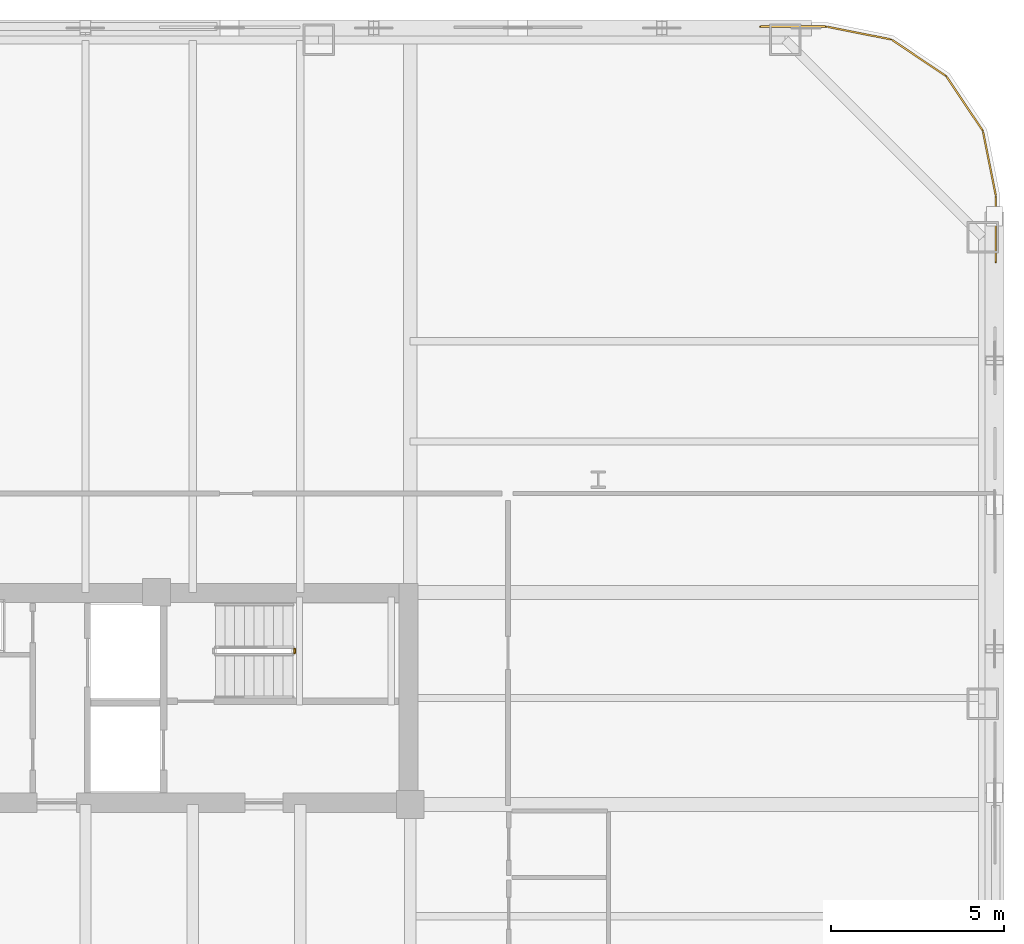
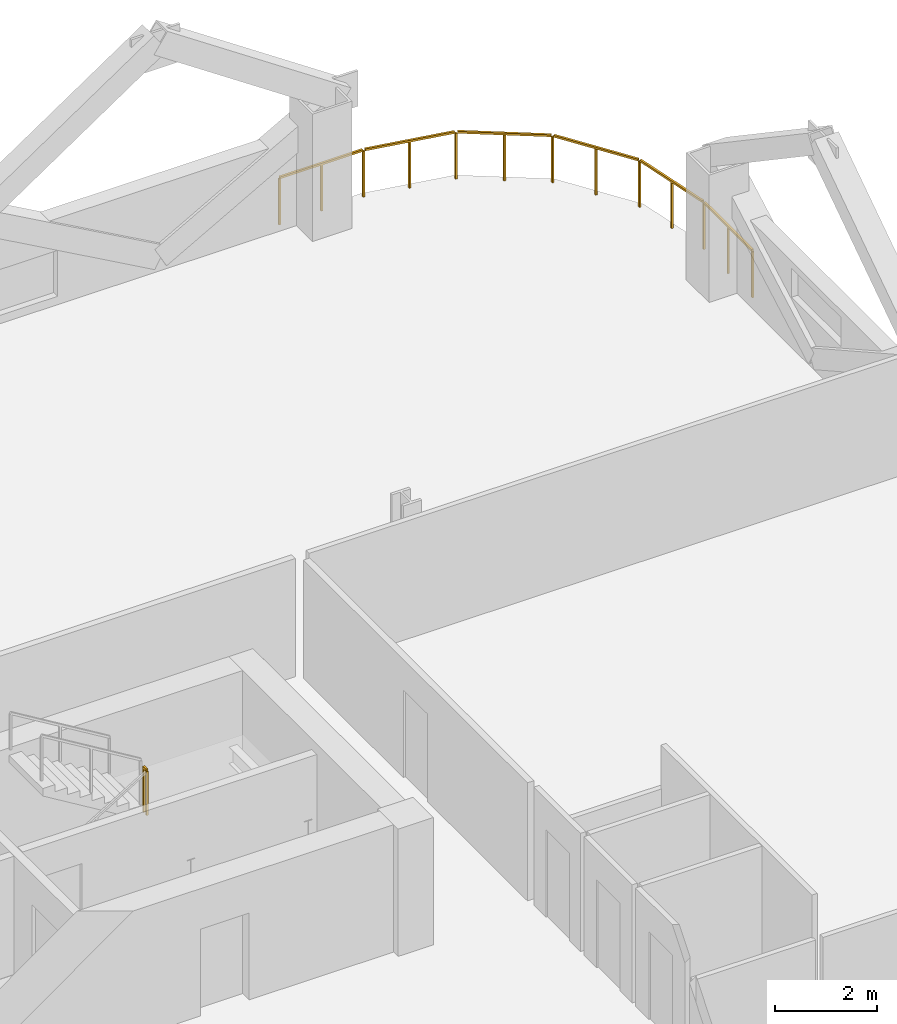
# One storey, part 13 of 13: 2 railings.
"""IFC4 building model written with IfcOpenShell, lengths in metres."""

from ifc_helpers import new_model, si_unit, direction, frame, origin, origin_2d, place, context, subcontext, project, spatial, rectangle, extrude, material, type_object, element, save


model = new_model("IFC4")

# Units and contexts
model_context = context("Model", 3, precision=1e-05, world=origin(), true_north=direction((0.0, 1.0)))
body_context = subcontext(model_context, "Body", "Model", "MODEL_VIEW")
ifc_project = project(units=[si_unit("LENGTHUNIT", "METRE"), si_unit("AREAUNIT", "SQUARE_METRE"), si_unit("VOLUMEUNIT", "CUBIC_METRE"), si_unit("PLANEANGLEUNIT", "RADIAN"), si_unit("MASSUNIT", "GRAM", prefix="KILO")], contexts=[model_context])

# Site, building, storey
site_placement = place(None, origin())
site = spatial("IfcSite", under=ifc_project, at=site_placement, CompositionType="ELEMENT")
building_placement = place(site_placement, origin())
building = spatial("IfcBuilding", under=site, at=building_placement, Name="Qhalaya Broadcast Tower", CompositionType="ELEMENT")
storey_placement = place(building_placement, frame((0.0, 0.0, 32.199951171875)))
storey = spatial("IfcBuildingStorey", under=building, at=storey_placement, Name="L08", CompositionType="ELEMENT", Elevation=32.199951171875)

# Railings
ifc_material = material(Name="Powder-Coated Galvanised Steel", Category="steel")
railing_type_1 = type_object("IfcRailingType", Name="Stair Well & Landing Guardrail 1100", PredefinedType="GUARDRAIL", material=ifc_material)
railing_1_placement = place(storey_placement, frame((6.0400390625, 8.199951171875, 1.525146484375)))
element("IfcRailing", 1, at=railing_1_placement, inside=storey, type_object=railing_type_1, Name="L08 ST-1 Stair Guard 2", PredefinedType="GUARDRAIL", context=body_context, shape_type="SweptSolid", body=[
    extrude(rectangle(XDim=0.048095703125, YDim=0.048095703125, at=origin_2d()), frame((0.0, 0.0, 1.076171875), z_axis=(0.0, 1.0, 0.0), x_axis=(-1.0, 0.0, 0.0)), (0.0, 0.0, 1.0), 0.1201171875),
    extrude(rectangle(XDim=0.0419921875, YDim=0.0419921875, at=origin_2d()), origin(), (0.0, 0.0, 1.0), 1.050048828125),
    extrude(rectangle(XDim=0.0419921875, YDim=0.0419921875, at=origin_2d()), frame((0.0, 0.1201171875, 0.0)), (0.0, 0.0, 1.0), 1.050048828125),
])
railing_type_2 = type_object("IfcRailingType", Name="Terrace, Sky-Pool & Lookout Glass Balustrade 1150", PredefinedType="BALUSTRADE", material=ifc_material)
railing_2_placement = place(storey_placement, frame((19.48193359375, 26.280029296875, 0.0)))
element("IfcRailing", 2, at=railing_2_placement, inside=storey, type_object=railing_type_2, Name="L08 Rounded Corner Perimeter Guard 04", PredefinedType="BALUSTRADE", context=body_context, shape_type="SweptSolid", body=[
    extrude(rectangle(XDim=0.048095703125, YDim=0.048095703125, at=origin_2d()), frame((0.0, 0.0, 1.1259765625), z_axis=(1.0, 0.0, 0.0), x_axis=(0.0, 1.0, 0.0)), (0.0, 0.0, 1.0), 1.87744140625),
    extrude(rectangle(XDim=0.048095703125, YDim=0.048095703125, at=origin_2d()), frame((1.9345703125, -0.005615234375, 1.1259765625), z_axis=(0.980795810058, -0.195037378397, 0.0), x_axis=(0.195037378397, 0.980795810058, 0.0)), (0.0, 0.0, 1.0), 1.857421875),
    extrude(rectangle(XDim=0.048095703125, YDim=0.048095703125, at=origin_2d()), frame((3.80859375, -0.3896484375, 1.1259765625), z_axis=(0.831477548332, -0.555558355728, 0.0), x_axis=(0.555558355728, 0.831477548332, 0.0)), (0.0, 0.0, 1.0), 1.845458984375),
    extrude(rectangle(XDim=0.048095703125, YDim=0.048095703125, at=origin_2d()), frame((5.38330078125, -1.454833984375, 1.1259765625), z_axis=(0.555558355728, -0.831477548332, 0.0), x_axis=(0.831477548332, 0.555558355728, 0.0)), (0.0, 0.0, 1.0), 1.845458984375),
    extrude(rectangle(XDim=0.048095703125, YDim=0.048095703125, at=origin_2d()), frame((6.43017578125, -3.041748046875, 1.1259765625), z_axis=(0.195037378397, -0.980795810058, 0.0), x_axis=(0.980795810058, 0.195037378397, 0.0)), (0.0, 0.0, 1.0), 1.857421875),
    extrude(rectangle(XDim=0.048095703125, YDim=0.048095703125, at=origin_2d()), frame((6.798095703125, -4.920654296875, 1.1259765625), z_axis=(0.0, -1.0, 0.0), x_axis=(1.0, 0.0, 0.0)), (0.0, 0.0, 1.0), 1.87744140625),
    extrude(rectangle(XDim=0.0419921875, YDim=0.0419921875, at=origin_2d()), origin(), (0.0, 0.0, 1.0), 1.099853515625),
    extrude(rectangle(XDim=0.0419921875, YDim=0.0419921875, at=origin_2d()), frame((0.953125, 0.0, 0.0)), (0.0, 0.0, 1.0), 1.099853515625),
    extrude(rectangle(XDim=0.0419921875, YDim=0.0419921875, at=origin_2d()), frame((1.90625, 0.0, 0.0)), (0.0, 0.0, 1.0), 1.099853515625),
    extrude(rectangle(XDim=0.0419921875, YDim=0.0419921875, at=origin_2d()), frame((2.845458984375, -0.186767578125, 0.0)), (0.0, 0.0, 1.0), 1.099853515625),
    extrude(rectangle(XDim=0.0419921875, YDim=0.0419921875, at=origin_2d()), frame((3.78466796875, -0.37353515625, 0.0)), (0.0, 0.0, 1.0), 1.099853515625),
    extrude(rectangle(XDim=0.0419921875, YDim=0.0419921875, at=origin_2d()), frame((4.575927734375, -0.90234375, 0.0)), (0.0, 0.0, 1.0), 1.099853515625),
    extrude(rectangle(XDim=0.0419921875, YDim=0.0419921875, at=origin_2d()), frame((5.3671875, -1.430908203125, 0.0)), (0.0, 0.0, 1.0), 1.099853515625),
    extrude(rectangle(XDim=0.0419921875, YDim=0.0419921875, at=origin_2d()), frame((5.89599609375, -2.22216796875, 0.0)), (0.0, 0.0, 1.0), 1.099853515625),
    extrude(rectangle(XDim=0.0419921875, YDim=0.0419921875, at=origin_2d()), frame((6.424560546875, -3.013427734375, 0.0)), (0.0, 0.0, 1.0), 1.099853515625),
    extrude(rectangle(XDim=0.0419921875, YDim=0.0419921875, at=origin_2d()), frame((6.611328125, -3.95263671875, 0.0)), (0.0, 0.0, 1.0), 1.099853515625),
    extrude(rectangle(XDim=0.0419921875, YDim=0.0419921875, at=origin_2d()), frame((6.798095703125, -4.891845703125, 0.0)), (0.0, 0.0, 1.0), 1.099853515625),
    extrude(rectangle(XDim=0.0419921875, YDim=0.0419921875, at=origin_2d()), frame((6.798095703125, -5.844970703125, 0.0)), (0.0, 0.0, 1.0), 1.099853515625),
    extrude(rectangle(XDim=0.0419921875, YDim=0.0419921875, at=origin_2d()), frame((6.798095703125, -6.798095703125, 0.0)), (0.0, 0.0, 1.0), 1.099853515625),
])

save(model, "model.ifc")
